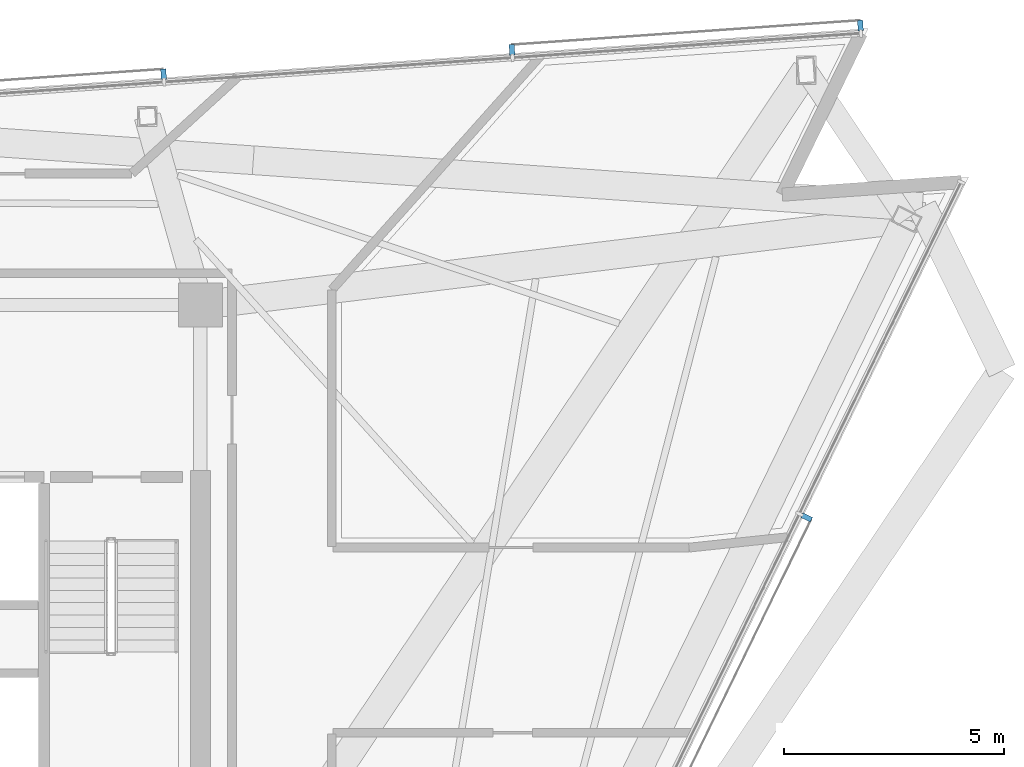
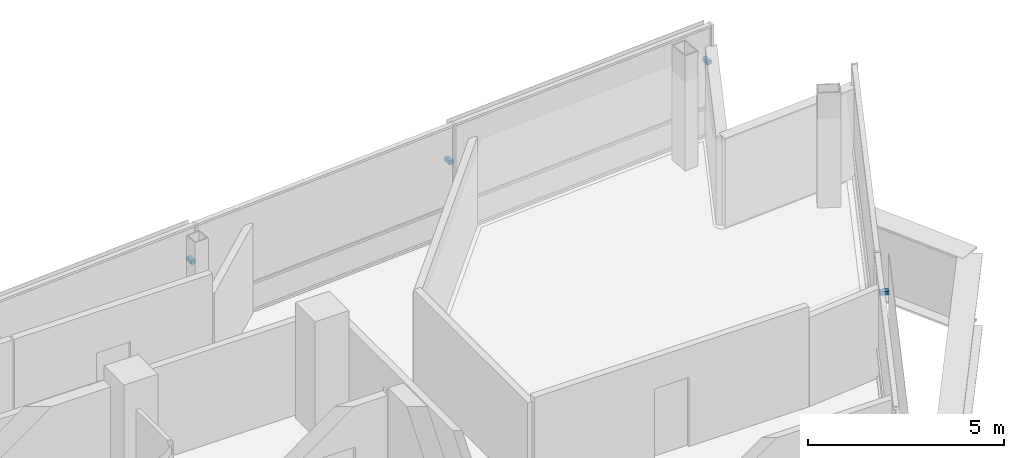
# One storey, part 14 of 17: 4 discrete accessories.
"""IFC4 building model written with IfcOpenShell, lengths in metres."""

from ifc_helpers import new_model, si_unit, direction, frame, origin, origin_2d, place, context, subcontext, project, spatial, rectangle, extrude, material, type_object, element, save


model = new_model("IFC4")

# Units and contexts
model_context = context("Model", 3, precision=1e-05, world=origin(), true_north=direction((0.0, 1.0)))
body_context = subcontext(model_context, "Body", "Model", "MODEL_VIEW")
ifc_project = project(units=[si_unit("LENGTHUNIT", "METRE"), si_unit("AREAUNIT", "SQUARE_METRE"), si_unit("VOLUMEUNIT", "CUBIC_METRE"), si_unit("PLANEANGLEUNIT", "RADIAN"), si_unit("MASSUNIT", "GRAM", prefix="KILO")], contexts=[model_context])

# Site, building, storey
site_placement = place(None, origin())
site = spatial("IfcSite", under=ifc_project, at=site_placement, CompositionType="ELEMENT")
building_placement = place(site_placement, origin())
building = spatial("IfcBuilding", under=site, at=building_placement, Name="Tharavind Bronze Gate", CompositionType="ELEMENT")
storey_placement = place(building_placement, frame((0.0, 0.0, 253.39990234375)))
storey = spatial("IfcBuildingStorey", under=building, at=storey_placement, Name="L65", CompositionType="ELEMENT", Elevation=253.39990234375)

# Discrete accessories
ifc_material = material(Name="Stainless Steel 316", Category="steel")
discrete_accessory_type = type_object("IfcDiscreteAccessoryType", Name="SOLAR SCREEN STANDOFF BRACKET", PredefinedType="BRACKET", material=ifc_material)
for number, where, z_axis, x_axis, name in (
    (1, (22.64697265625, 2.78466796875, 2.10009765625), (0.0, 0.0, 1.0), (0.43837271548, 0.898793281196, 0.0), "CW-L65-S2 solar screen bracket 5.2"),
    (2, (23.867919921875, 13.940673828125, 2.10009765625), (0.0, 0.0, 1.0), (-0.997563806758, -0.069759955899, 0.0), "CW-L65-S3 solar screen bracket 1.1"),
    (3, (15.966796875, 13.38818359375, 2.10009765625), (0.0, 0.0, 1.0), (-0.997563806758, -0.069759955899, 0.0), "CW-L65-S3 solar screen bracket 1.2"),
    (4, (8.06591796875, 12.835693359375, 2.10009765625), (0.0, 0.0, 1.0), (-0.997563806758, -0.069759955899, 0.0), "CW-L65-S3 solar screen bracket 3.1"),
):
    element("IfcDiscreteAccessory", number, at=place(storey_placement, frame(where, z_axis=z_axis, x_axis=x_axis)), inside=storey, type_object=discrete_accessory_type, Name=name, PredefinedType="BRACKET", context=body_context, shape_type="SweptSolid", body=[
        extrude(rectangle(XDim=0.1201171875, YDim=0.239990234375, at=origin_2d()), origin(), (0.0, 0.0, 1.0), 0.1201171875),
    ])

save(model, "model.ifc")
